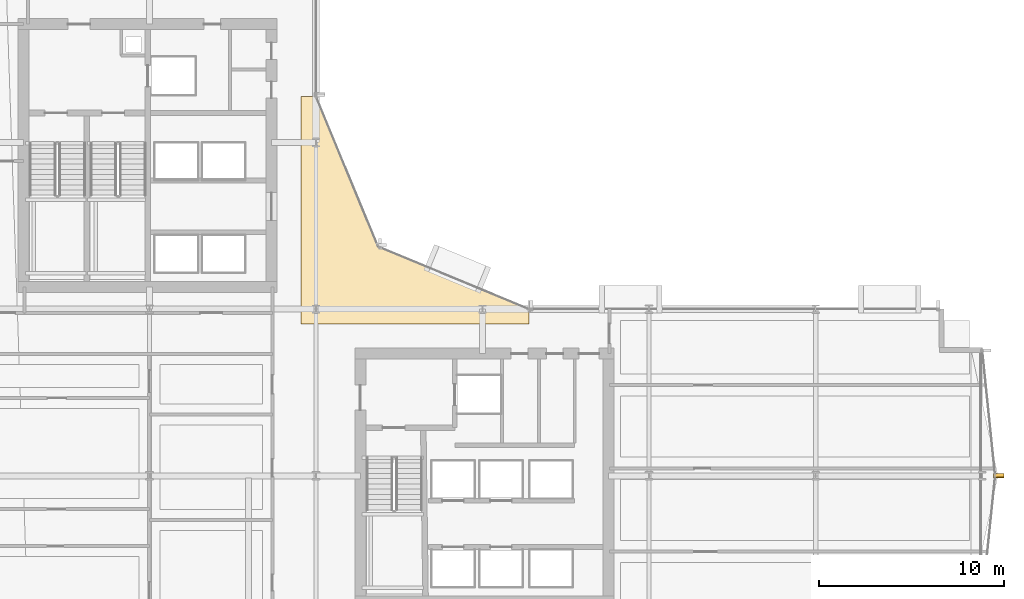
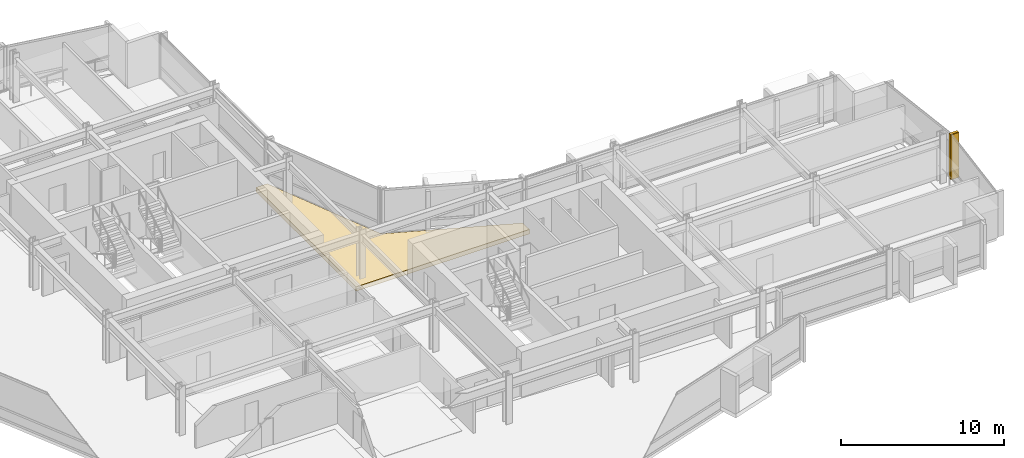
# One storey, part 35 of 35: 3 coverings.
"""IFC4 building model written with IfcOpenShell, lengths in metres."""

from ifc_helpers import new_model, si_unit, direction, frame, origin, origin_2d, place, context, subcontext, project, spatial, polyline, rectangle, outline, extrude, material, layer, layer_set, type_object, element, save


model = new_model("IFC4")

# Units and contexts
model_context = context("Model", 3, precision=1e-05, world=origin(), true_north=direction((0.0, 1.0)))
body_context = subcontext(model_context, "Body", "Model", "MODEL_VIEW")
ifc_project = project(units=[si_unit("LENGTHUNIT", "METRE"), si_unit("AREAUNIT", "SQUARE_METRE"), si_unit("VOLUMEUNIT", "CUBIC_METRE"), si_unit("PLANEANGLEUNIT", "RADIAN"), si_unit("MASSUNIT", "GRAM", prefix="KILO")], contexts=[model_context])

# Site, building, storey
site_placement = place(None, origin())
site = spatial("IfcSite", under=ifc_project, at=site_placement, CompositionType="ELEMENT")
building_placement = place(site_placement, origin())
building = spatial("IfcBuilding", under=site, at=building_placement, Name="Solvaryn Broadcast Tower", CompositionType="ELEMENT")
storey_placement = place(building_placement, frame((0.0, 0.0, 80.39990234375)))
storey = spatial("IfcBuildingStorey", under=building, at=storey_placement, Name="L19", CompositionType="ELEMENT", Elevation=80.39990234375)

# Coverings
ifc_material_1 = material(Name="Extruded Architectural Terracotta Fin", Category="masonry")
ifc_layer_1 = layer(ifc_material_1, 0.179931640625)
ifc_layer_set_1 = layer_set([ifc_layer_1], Name="CV-TC-FIN")
covering_type_1 = type_object("IfcCoveringType", Name="CV-TC-FIN", PredefinedType="USERDEFINED", material=ifc_layer_set_1)
for number, where, z_axis, x_axis, name in (
    (1, (63.884521484375, 18.02978515625, 0.0), (0.0, 0.0, 1.0), (1.0, 0.0, 0.0), "L19 Terracotta Vertical Fin FIN-L19-ET1-M01"),
    (2, (63.884521484375, 17.97021484375, 0.0), (0.0, 0.0, 1.0), (1.0, 0.0, 0.0), "L19 Terracotta Vertical Fin FIN-L19-ET2-M00"),
):
    element("IfcCovering", number, at=place(storey_placement, frame(where, z_axis=z_axis, x_axis=x_axis)), inside=storey, type_object=covering_type_1, Name=name, ObjectType="FIN", PredefinedType="USERDEFINED", context=body_context, shape_type="SweptSolid", body=[
        extrude(rectangle(XDim=0.580078125, YDim=0.179931640625, at=origin_2d()), origin(), (0.0, 0.0, 1.0), 3.3701171875),
    ])
ifc_material_2 = material(Name="Sculpted Architectural Terracotta Wave Fascia", Category="masonry")
ifc_layer_2 = layer(ifc_material_2, 0.340087890625)
ifc_layer_set_2 = layer_set([ifc_layer_2], Name="CV-WAVE-TRAY")
covering_type_2 = type_object("IfcCoveringType", Name="CV-WAVE-TRAY", PredefinedType="CLADDING", material=ifc_layer_set_2)
covering_placement = place(storey_placement, frame((0.0, 0.0, -0.2998046875)))
element("IfcCovering", 3, at=covering_placement, inside=storey, type_object=covering_type_2, Name="L19 Concave Canyon Floor Apron", PredefinedType="CLADDING", context=body_context, shape_type="SweptSolid", body=[
    extrude(outline(polyline([(26.199951171875, 26.199951171875), (38.5, 26.199951171875), (38.5, 27.0), (30.367919921875, 30.367919921875), (27.0, 38.5), (26.199951171875, 38.5), (26.199951171875, 26.199951171875)])), origin(), (0.0, 0.0, 1.0), 0.329833984375),
])

save(model, "model.ifc")
